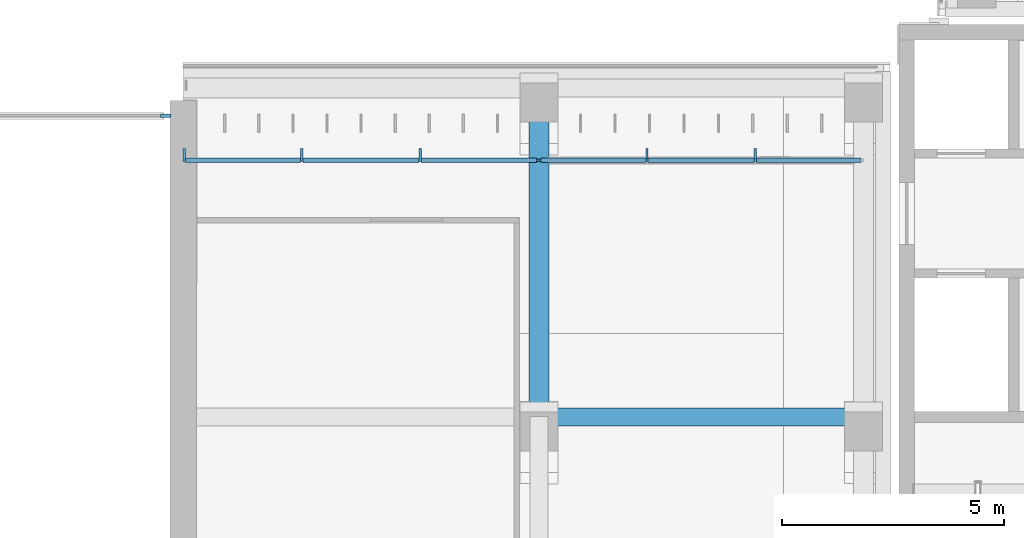
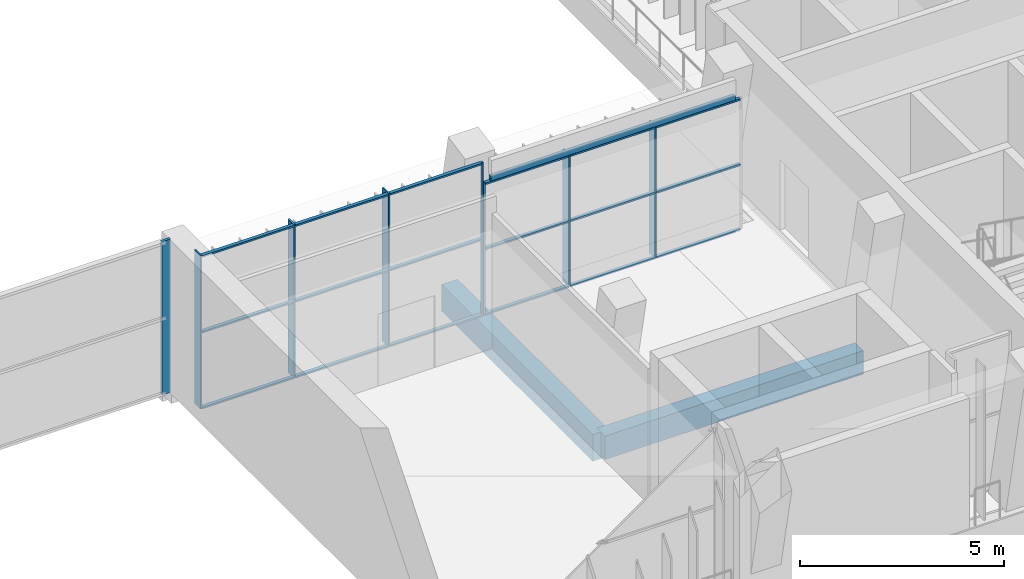
# One storey, part 15 of 92: 26 members, 3 beams, 3 elements without a shape of their own.
"""IFC4 building model written with IfcOpenShell, lengths in metres."""

from ifc_helpers import new_model, si_unit, direction, frame, origin, origin_2d, place, context, subcontext, project, spatial, rectangle, hollow_rectangle, extrude, material, material_profile, profile_set, type_object, element, aggregate, save


model = new_model("IFC4")

# Units and contexts
model_context = context("Model", 3, precision=1e-05, world=origin(), true_north=direction((0.0, 1.0)))
body_context = subcontext(model_context, "Body", "Model", "MODEL_VIEW")
ifc_project = project(units=[si_unit("LENGTHUNIT", "METRE"), si_unit("AREAUNIT", "SQUARE_METRE"), si_unit("VOLUMEUNIT", "CUBIC_METRE"), si_unit("PLANEANGLEUNIT", "RADIAN"), si_unit("MASSUNIT", "GRAM", prefix="KILO")], contexts=[model_context])

# Site, building, storey
site_placement = place(None, origin())
site = spatial("IfcSite", under=ifc_project, at=site_placement, CompositionType="ELEMENT")
building_placement = place(site_placement, origin())
building = spatial("IfcBuilding", under=site, at=building_placement, Name="Lantern Court Media Centre", CompositionType="ELEMENT")
storey_placement = place(building_placement, frame((0.0, 0.0, 4.800048828125)))
storey = spatial("IfcBuildingStorey", under=building, at=storey_placement, Name="L01", CompositionType="ELEMENT", Elevation=4.800048828125)

# Curtain wall, members
ifc_material_1 = material(Name="Curtain wall bay 2400")
curtain_wall_type_1 = type_object("IfcCurtainWallType", Name="Curtain wall bay 2400", PredefinedType="NOTDEFINED", material=ifc_material_1)
curtain_wall_1_placement = place(storey_placement, origin())
curtain_wall_1 = element("IfcCurtainWall", 1, at=curtain_wall_1_placement, inside=storey, type_object=curtain_wall_type_1, Name="Curtain wall S inner L01", PredefinedType="NOTDEFINED")
ifc_material_2 = material(Name="Anodised aluminium", Category="aluminium")
ifc_material_profile_1 = material_profile(ifc_material_2, rectangle(XDim=0.300048828125, YDim=0.050048828125, at=origin_2d()), Name="AL 50x300")
ifc_profile_set_1 = profile_set([ifc_material_profile_1], Name="Anodised aluminium")
member_type_1 = type_object("IfcMemberType", Name="Curtain wall mullion 50x300", PredefinedType="MULLION", material=ifc_profile_set_1)
member_1_placement = place(storey_placement, frame((64.02490234375, 60.969970703125, 0.0), z_axis=(0.0, 0.0, 1.0), x_axis=(0.0, 1.0, 0.0)))
member_1 = element("IfcMember", 2, at=member_1_placement, type_object=member_type_1, Name="CW2 mullion 1", PredefinedType="MULLION", context=body_context, shape_type="SweptSolid", body=[
    extrude(rectangle(XDim=0.300048828125, YDim=0.050048828125, at=origin_2d()), origin(), (0.0, 0.0, 1.0), 4.579833984375),
])
member_2_placement = place(storey_placement, frame((66.666748046875, 60.969970703125, 0.0), z_axis=(0.0, 0.0, 1.0), x_axis=(0.0, 1.0, 0.0)))
member_2 = element("IfcMember", 3, at=member_2_placement, type_object=member_type_1, Name="CW2 mullion 2", PredefinedType="MULLION", context=body_context, shape_type="SweptSolid", body=[
    extrude(rectangle(XDim=0.300048828125, YDim=0.050048828125, at=origin_2d()), origin(), (0.0, 0.0, 1.0), 4.579833984375),
])
member_3_placement = place(storey_placement, frame((69.333251953125, 60.969970703125, 0.0), z_axis=(0.0, 0.0, 1.0), x_axis=(0.0, 1.0, 0.0)))
member_3 = element("IfcMember", 4, at=member_3_placement, type_object=member_type_1, Name="CW2 mullion 3", PredefinedType="MULLION", context=body_context, shape_type="SweptSolid", body=[
    extrude(rectangle(XDim=0.300048828125, YDim=0.050048828125, at=origin_2d()), origin(), (0.0, 0.0, 1.0), 4.579833984375),
])

curtain_wall_2_placement = place(storey_placement, origin())
curtain_wall_2 = element("IfcCurtainWall", 5, at=curtain_wall_2_placement, inside=storey, type_object=curtain_wall_type_1, Name="Curtain wall S inner L01", PredefinedType="NOTDEFINED")
member_4_placement = place(storey_placement, frame((74.433349609375, 60.969970703125, 0.0), z_axis=(0.0, 0.0, 1.0), x_axis=(0.0, 1.0, 0.0)))
member_4 = element("IfcMember", 6, at=member_4_placement, type_object=member_type_1, Name="CW2 mullion 2", PredefinedType="MULLION", context=body_context, shape_type="SweptSolid", body=[
    extrude(rectangle(XDim=0.300048828125, YDim=0.050048828125, at=origin_2d()), origin(), (0.0, 0.0, 1.0), 3.949951171875),
])
member_5_placement = place(storey_placement, frame((76.86669921875, 60.969970703125, 0.0), z_axis=(0.0, 0.0, 1.0), x_axis=(0.0, 1.0, 0.0)))
member_5 = element("IfcMember", 7, at=member_5_placement, type_object=member_type_1, Name="CW2 mullion 3", PredefinedType="MULLION", context=body_context, shape_type="SweptSolid", body=[
    extrude(rectangle(XDim=0.300048828125, YDim=0.050048828125, at=origin_2d()), origin(), (0.0, 0.0, 1.0), 3.949951171875),
])

# Member
ifc_material_profile_2 = material_profile(ifc_material_2, rectangle(XDim=0.06005859375, YDim=0.050048828125, at=origin_2d()), Name="AL 50x60")
ifc_profile_set_2 = profile_set([ifc_material_profile_2], Name="Anodised aluminium")
member_type_2 = type_object("IfcMemberType", Name="Curtain wall mullion 50x60", PredefinedType="MULLION", material=ifc_profile_set_2)
member_6_placement = place(storey_placement, frame((71.97509765625, 60.85009765625, 0.0), z_axis=(0.0, 0.0, 1.0), x_axis=(0.0, 1.0, 0.0)))
member_6 = element("IfcMember", 8, at=member_6_placement, type_object=member_type_2, Name="CW2 mullion 4", PredefinedType="MULLION", context=body_context, shape_type="SweptSolid", body=[
    extrude(rectangle(XDim=0.06005859375, YDim=0.050048828125, at=origin_2d()), origin(), (0.0, 0.0, 1.0), 4.579833984375),
])

member_7_placement = place(storey_placement, frame((72.02490234375, 60.85009765625, 0.0), z_axis=(0.0, 0.0, 1.0), x_axis=(0.0, 1.0, 0.0)))
member_7 = element("IfcMember", 9, at=member_7_placement, type_object=member_type_2, Name="CW2 mullion 1", PredefinedType="MULLION", context=body_context, shape_type="SweptSolid", body=[
    extrude(rectangle(XDim=0.06005859375, YDim=0.050048828125, at=origin_2d()), origin(), (0.0, 0.0, 1.0), 3.949951171875),
])

# Curtain wall, member
ifc_material_3 = material(Name="Curtain wall bay 4000")
curtain_wall_type_2 = type_object("IfcCurtainWallType", Name="Curtain wall bay 4000", PredefinedType="NOTDEFINED", material=ifc_material_3)
curtain_wall_3_placement = place(storey_placement, origin())
curtain_wall_3 = element("IfcCurtainWall", 10, at=curtain_wall_3_placement, inside=storey, type_object=curtain_wall_type_2, Name="Curtain wall S inner L01", PredefinedType="NOTDEFINED")
ifc_material_profile_3 = material_profile(ifc_material_2, rectangle(XDim=0.080078125, YDim=0.239990234375, at=origin_2d()), Name="AL 80x240")
ifc_profile_set_3 = profile_set([ifc_material_profile_3], Name="Anodised aluminium")
member_type_3 = type_object("IfcMemberType", Name="Curtain wall mullion 80x240", PredefinedType="MULLION", material=ifc_profile_set_3)
member_8_placement = place(storey_placement, frame((63.610107421875, 61.85009765625, 0.0), z_axis=(0.0, 0.0, 1.0), x_axis=(0.0, 1.0, 0.0)))
member_8 = element("IfcMember", 11, at=member_8_placement, type_object=member_type_3, Name="CW3 mullion 3", PredefinedType="MULLION", context=body_context, shape_type="SweptSolid", body=[
    extrude(rectangle(XDim=0.080078125, YDim=0.239990234375, at=origin_2d()), origin(), (0.0, 0.0, 1.0), 4.579833984375),
])
aggregate(curtain_wall_3, [member_8])

# Member
ifc_material_profile_4 = material_profile(ifc_material_2, rectangle(XDim=0.10009765625, YDim=0.050048828125, at=origin_2d()), Name="AL 50x100")
ifc_profile_set_4 = profile_set([ifc_material_profile_4], Name="Anodised aluminium")
member_type_4 = type_object("IfcMemberType", Name="Curtain wall transom 100x50", PredefinedType="USERDEFINED", material=ifc_profile_set_4)
member_9_placement = place(storey_placement, frame((64.050048828125, 60.85009765625, 0.02490234375), z_axis=(1.0, 0.0, 0.0), x_axis=(0.0, 1.0, 0.0)))
member_9 = element("IfcMember", 12, at=member_9_placement, type_object=member_type_4, Name="CW2 transom 1.1", ObjectType="TRANSOM", PredefinedType="USERDEFINED", context=body_context, shape_type="SweptSolid", body=[
    extrude(rectangle(XDim=0.10009765625, YDim=0.050048828125, at=origin_2d()), origin(), (0.0, 0.0, 1.0), 2.591552734375),
])

member_10_placement = place(storey_placement, frame((64.050048828125, 60.85009765625, 2.2900390625), z_axis=(1.0, 0.0, 0.0), x_axis=(0.0, 1.0, 0.0)))
member_10 = element("IfcMember", 13, at=member_10_placement, type_object=member_type_4, Name="CW2 transom 1.2", ObjectType="TRANSOM", PredefinedType="USERDEFINED", context=body_context, shape_type="SweptSolid", body=[
    extrude(rectangle(XDim=0.10009765625, YDim=0.050048828125, at=origin_2d()), origin(), (0.0, 0.0, 1.0), 2.591552734375),
])

member_11_placement = place(storey_placement, frame((64.050048828125, 60.85009765625, 4.554931640625), z_axis=(1.0, 0.0, 0.0), x_axis=(0.0, 1.0, 0.0)))
member_11 = element("IfcMember", 14, at=member_11_placement, type_object=member_type_4, Name="CW2 transom 1.3", ObjectType="TRANSOM", PredefinedType="USERDEFINED", context=body_context, shape_type="SweptSolid", body=[
    extrude(rectangle(XDim=0.10009765625, YDim=0.050048828125, at=origin_2d()), origin(), (0.0, 0.0, 1.0), 2.591552734375),
])

member_12_placement = place(storey_placement, frame((66.691650390625, 60.85009765625, 0.02490234375), z_axis=(1.0, 0.0, 0.0), x_axis=(0.0, 1.0, 0.0)))
member_12 = element("IfcMember", 15, at=member_12_placement, type_object=member_type_4, Name="CW2 transom 2.1", ObjectType="TRANSOM", PredefinedType="USERDEFINED", context=body_context, shape_type="SweptSolid", body=[
    extrude(rectangle(XDim=0.10009765625, YDim=0.050048828125, at=origin_2d()), origin(), (0.0, 0.0, 1.0), 2.61669921875),
])

member_13_placement = place(storey_placement, frame((66.691650390625, 60.85009765625, 2.2900390625), z_axis=(1.0, 0.0, 0.0), x_axis=(0.0, 1.0, 0.0)))
member_13 = element("IfcMember", 16, at=member_13_placement, type_object=member_type_4, Name="CW2 transom 2.2", ObjectType="TRANSOM", PredefinedType="USERDEFINED", context=body_context, shape_type="SweptSolid", body=[
    extrude(rectangle(XDim=0.10009765625, YDim=0.050048828125, at=origin_2d()), origin(), (0.0, 0.0, 1.0), 2.61669921875),
])

member_14_placement = place(storey_placement, frame((66.691650390625, 60.85009765625, 4.554931640625), z_axis=(1.0, 0.0, 0.0), x_axis=(0.0, 1.0, 0.0)))
member_14 = element("IfcMember", 17, at=member_14_placement, type_object=member_type_4, Name="CW2 transom 2.3", ObjectType="TRANSOM", PredefinedType="USERDEFINED", context=body_context, shape_type="SweptSolid", body=[
    extrude(rectangle(XDim=0.10009765625, YDim=0.050048828125, at=origin_2d()), origin(), (0.0, 0.0, 1.0), 2.61669921875),
])

member_15_placement = place(storey_placement, frame((69.3583984375, 60.85009765625, 0.02490234375), z_axis=(1.0, 0.0, 0.0), x_axis=(0.0, 1.0, 0.0)))
member_15 = element("IfcMember", 18, at=member_15_placement, type_object=member_type_4, Name="CW2 transom 3.1", ObjectType="TRANSOM", PredefinedType="USERDEFINED", context=body_context, shape_type="SweptSolid", body=[
    extrude(rectangle(XDim=0.10009765625, YDim=0.050048828125, at=origin_2d()), origin(), (0.0, 0.0, 1.0), 2.591552734375),
])

member_16_placement = place(storey_placement, frame((69.3583984375, 60.85009765625, 2.2900390625), z_axis=(1.0, 0.0, 0.0), x_axis=(0.0, 1.0, 0.0)))
member_16 = element("IfcMember", 19, at=member_16_placement, type_object=member_type_4, Name="CW2 transom 3.2", ObjectType="TRANSOM", PredefinedType="USERDEFINED", context=body_context, shape_type="SweptSolid", body=[
    extrude(rectangle(XDim=0.10009765625, YDim=0.050048828125, at=origin_2d()), origin(), (0.0, 0.0, 1.0), 2.591552734375),
])

member_17_placement = place(storey_placement, frame((69.3583984375, 60.85009765625, 4.554931640625), z_axis=(1.0, 0.0, 0.0), x_axis=(0.0, 1.0, 0.0)))
member_17 = element("IfcMember", 20, at=member_17_placement, type_object=member_type_4, Name="CW2 transom 3.3", ObjectType="TRANSOM", PredefinedType="USERDEFINED", context=body_context, shape_type="SweptSolid", body=[
    extrude(rectangle(XDim=0.10009765625, YDim=0.050048828125, at=origin_2d()), origin(), (0.0, 0.0, 1.0), 2.591552734375),
])

aggregate(curtain_wall_1, [member_1, member_2, member_3, member_6, member_9, member_10, member_11, member_12, member_13, member_14, member_15, member_16, member_17])

member_18_placement = place(storey_placement, frame((72.050048828125, 60.85009765625, 0.02490234375), z_axis=(1.0, 0.0, 0.0), x_axis=(0.0, 1.0, 0.0)))
member_18 = element("IfcMember", 21, at=member_18_placement, type_object=member_type_4, Name="CW2 transom 1.1", ObjectType="TRANSOM", PredefinedType="USERDEFINED", context=body_context, shape_type="SweptSolid", body=[
    extrude(rectangle(XDim=0.10009765625, YDim=0.050048828125, at=origin_2d()), origin(), (0.0, 0.0, 1.0), 2.3583984375),
])

member_19_placement = place(storey_placement, frame((72.050048828125, 60.85009765625, 1.974853515625), z_axis=(1.0, 0.0, 0.0), x_axis=(0.0, 1.0, 0.0)))
member_19 = element("IfcMember", 22, at=member_19_placement, type_object=member_type_4, Name="CW2 transom 1.2", ObjectType="TRANSOM", PredefinedType="USERDEFINED", context=body_context, shape_type="SweptSolid", body=[
    extrude(rectangle(XDim=0.10009765625, YDim=0.050048828125, at=origin_2d()), origin(), (0.0, 0.0, 1.0), 2.3583984375),
])

member_20_placement = place(storey_placement, frame((72.050048828125, 60.85009765625, 3.925048828125), z_axis=(1.0, 0.0, 0.0), x_axis=(0.0, 1.0, 0.0)))
member_20 = element("IfcMember", 23, at=member_20_placement, type_object=member_type_4, Name="CW2 transom 1.3", ObjectType="TRANSOM", PredefinedType="USERDEFINED", context=body_context, shape_type="SweptSolid", body=[
    extrude(rectangle(XDim=0.10009765625, YDim=0.050048828125, at=origin_2d()), origin(), (0.0, 0.0, 1.0), 2.3583984375),
])

member_21_placement = place(storey_placement, frame((74.458251953125, 60.85009765625, 0.02490234375), z_axis=(1.0, 0.0, 0.0), x_axis=(0.0, 1.0, 0.0)))
member_21 = element("IfcMember", 24, at=member_21_placement, type_object=member_type_4, Name="CW2 transom 2.1", ObjectType="TRANSOM", PredefinedType="USERDEFINED", context=body_context, shape_type="SweptSolid", body=[
    extrude(rectangle(XDim=0.10009765625, YDim=0.050048828125, at=origin_2d()), origin(), (0.0, 0.0, 1.0), 2.38330078125),
])

member_22_placement = place(storey_placement, frame((74.458251953125, 60.85009765625, 1.974853515625), z_axis=(1.0, 0.0, 0.0), x_axis=(0.0, 1.0, 0.0)))
member_22 = element("IfcMember", 25, at=member_22_placement, type_object=member_type_4, Name="CW2 transom 2.2", ObjectType="TRANSOM", PredefinedType="USERDEFINED", context=body_context, shape_type="SweptSolid", body=[
    extrude(rectangle(XDim=0.10009765625, YDim=0.050048828125, at=origin_2d()), origin(), (0.0, 0.0, 1.0), 2.38330078125),
])

member_23_placement = place(storey_placement, frame((74.458251953125, 60.85009765625, 3.925048828125), z_axis=(1.0, 0.0, 0.0), x_axis=(0.0, 1.0, 0.0)))
member_23 = element("IfcMember", 26, at=member_23_placement, type_object=member_type_4, Name="CW2 transom 2.3", ObjectType="TRANSOM", PredefinedType="USERDEFINED", context=body_context, shape_type="SweptSolid", body=[
    extrude(rectangle(XDim=0.10009765625, YDim=0.050048828125, at=origin_2d()), origin(), (0.0, 0.0, 1.0), 2.38330078125),
])

member_24_placement = place(storey_placement, frame((76.8916015625, 60.85009765625, 0.02490234375), z_axis=(1.0, 0.0, 0.0), x_axis=(0.0, 1.0, 0.0)))
member_24 = element("IfcMember", 27, at=member_24_placement, type_object=member_type_4, Name="CW2 transom 3.1", ObjectType="TRANSOM", PredefinedType="USERDEFINED", context=body_context, shape_type="SweptSolid", body=[
    extrude(rectangle(XDim=0.10009765625, YDim=0.050048828125, at=origin_2d()), origin(), (0.0, 0.0, 1.0), 2.3583984375),
])

member_25_placement = place(storey_placement, frame((76.8916015625, 60.85009765625, 1.974853515625), z_axis=(1.0, 0.0, 0.0), x_axis=(0.0, 1.0, 0.0)))
member_25 = element("IfcMember", 28, at=member_25_placement, type_object=member_type_4, Name="CW2 transom 3.2", ObjectType="TRANSOM", PredefinedType="USERDEFINED", context=body_context, shape_type="SweptSolid", body=[
    extrude(rectangle(XDim=0.10009765625, YDim=0.050048828125, at=origin_2d()), origin(), (0.0, 0.0, 1.0), 2.3583984375),
])

member_26_placement = place(storey_placement, frame((76.8916015625, 60.85009765625, 3.925048828125), z_axis=(1.0, 0.0, 0.0), x_axis=(0.0, 1.0, 0.0)))
member_26 = element("IfcMember", 29, at=member_26_placement, type_object=member_type_4, Name="CW2 transom 3.3", ObjectType="TRANSOM", PredefinedType="USERDEFINED", context=body_context, shape_type="SweptSolid", body=[
    extrude(rectangle(XDim=0.10009765625, YDim=0.050048828125, at=origin_2d()), origin(), (0.0, 0.0, 1.0), 2.3583984375),
])

aggregate(curtain_wall_2, [member_7, member_4, member_5, member_18, member_19, member_20, member_21, member_22, member_23, member_24, member_25, member_26])

# Beams
ifc_material_4 = material(Name="Steel S355J2 (EN 10025-2)", Category="steel")
ifc_material_profile_5 = material_profile(ifc_material_4, hollow_rectangle(XDim=0.10009765625, YDim=0.14990234375, WallThickness=0.00634765625, InnerFilletRadius=0.00634765625, OuterFilletRadius=0.009521484375, at=origin_2d()), Name="Facade head lintel RHS 150x100x6.3")
ifc_profile_set_5 = profile_set([ifc_material_profile_5], Name="Steel S355J2 (EN 10025-2)")
beam_type_1 = type_object("IfcBeamType", Name="Facade head lintel RHS 150x100x6.3", PredefinedType="BEAM", material=ifc_profile_set_5)
beam_1_placement = place(storey_placement, frame((72.199951171875, 60.85009765625, 4.02490234375), z_axis=(1.0, 0.0, 0.0), x_axis=(0.0, 1.0, 0.0)))
element("IfcBeam", 30, at=beam_1_placement, inside=storey, type_object=beam_type_1, Name="Facade head lintel S L01", PredefinedType="BEAM", context=body_context, shape_type="SweptSolid", body=[
    extrude(hollow_rectangle(XDim=0.10009765625, YDim=0.14990234375, WallThickness=0.00634765625, InnerFilletRadius=0.00634765625, OuterFilletRadius=0.009521484375, at=origin_2d()), origin(), (0.0, 0.0, 1.0), 6.900146484375),
])
ifc_material_5 = material(Name="Concrete C35", Category="concrete")
ifc_material_profile_6 = material_profile(ifc_material_5, rectangle(XDim=0.39990234375, YDim=0.699951171875, at=origin_2d()), Name="RC 400x700")
ifc_profile_set_6 = profile_set([ifc_material_profile_6], Name="Concrete C35")
beam_type_2 = type_object("IfcBeamType", Name="RC BEAM 400x700", PredefinedType="BEAM", material=ifc_profile_set_6)
beam_2_placement = place(storey_placement, frame((72.0, 55.072998046875, -0.35009765625), z_axis=(1.0, 0.0, 0.0), x_axis=(0.0, 1.0, 0.0)))
element("IfcBeam", 31, at=beam_2_placement, inside=storey, type_object=beam_type_2, Name="LB-S-L01-1-6", PredefinedType="BEAM", context=body_context, shape_type="SweptSolid", body=[
    extrude(rectangle(XDim=0.39990234375, YDim=0.699951171875, at=origin_2d()), origin(), (0.0, 0.0, 1.0), 7.300048828125),
])
ifc_material_profile_7 = material_profile(ifc_material_5, rectangle(XDim=0.449951171875, YDim=0.800048828125, at=origin_2d()), Name="RC 450x800")
ifc_profile_set_7 = profile_set([ifc_material_profile_7], Name="Concrete C35")
beam_type_3 = type_object("IfcBeamType", Name="RC BEAM 450x800", PredefinedType="BEAM", material=ifc_profile_set_7)
beam_3_placement = place(storey_placement, frame((72.0, 55.083251953125, -0.400146484375), z_axis=(0.0, 1.0, 0.0), x_axis=(-1.0, 0.0, 0.0)))
element("IfcBeam", 32, at=beam_3_placement, inside=storey, type_object=beam_type_3, Name="TB-S-L01-6-2", PredefinedType="BEAM", context=body_context, shape_type="SweptSolid", body=[
    extrude(rectangle(XDim=0.449951171875, YDim=0.800048828125, at=origin_2d()), origin(), (0.0, 0.0, 1.0), 7.400146484375),
])

save(model, "model.ifc")
